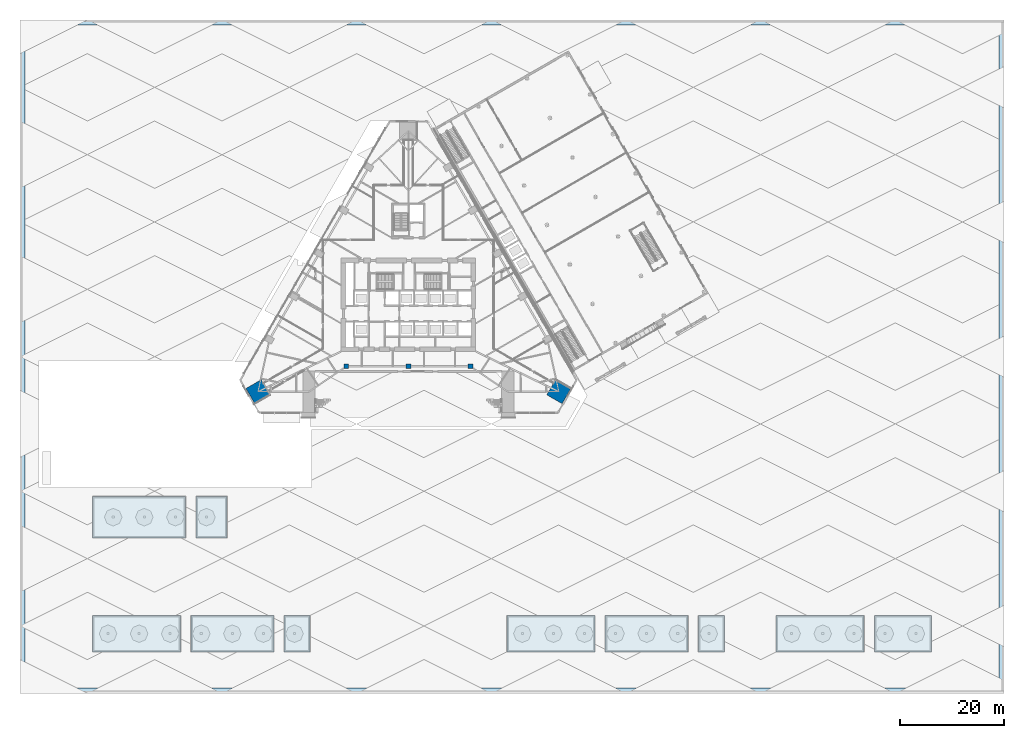
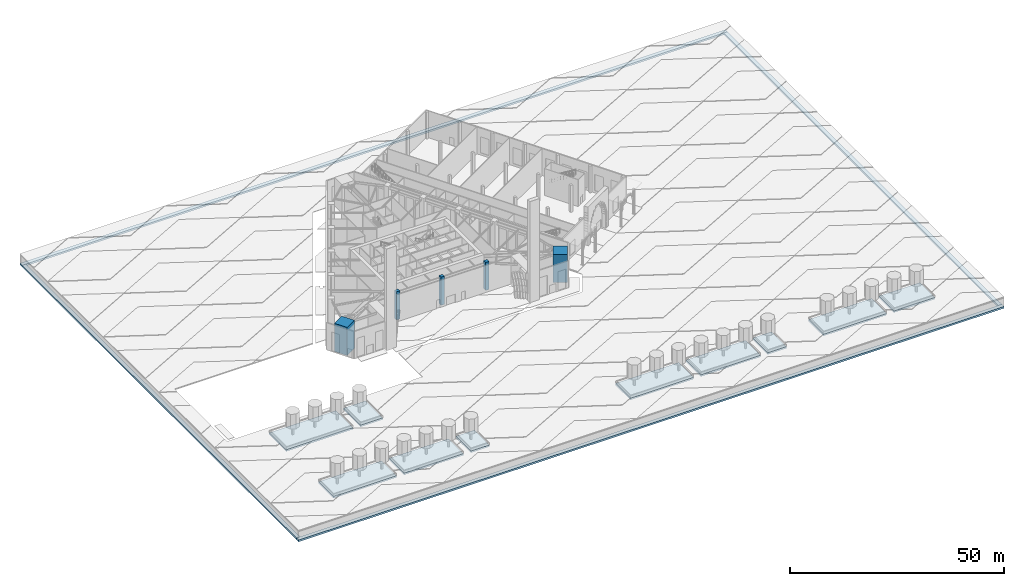
# One storey, part 1 of 34: 14 footings, 5 columns.
"""IFC4 building model written with IfcOpenShell, lengths in metres."""

import ifcopenshell
import ifcopenshell.guid

model = None  # the IFC model being written
_history = None  # IfcOwnerHistory: only IFC2X3 demands one
_inside = {}  # id of a spatial element -> (the spatial element, [elements in it])
_under = {}  # id of a project, library or spatial element -> (it, [spatial elements below it])
_declared = {}  # id of a project -> (the project, [libraries it declares])
_typed = {}  # id of a type object -> (the type object, [elements of that type])
_made_of = {}  # id of a material, layer set ... -> (it, [elements and type objects made of it])


def new_model(schema):
    """Start an empty IFC model of exactly this schema.

    Asked for "IFC4X3", IfcOpenShell would pick the latest addendum, in which some entities
    have other attributes; the version numbers below select the first issue.
    IFC2X3 requires an IfcOwnerHistory on every rooted entity: one is made here for all.
    """
    global model, _history
    if schema == "IFC4X3":
        model = ifcopenshell.file(schema_version=(4, 3, 0, 0))
    else:
        model = ifcopenshell.file(schema=schema)
    _inside.clear()
    _under.clear()
    _declared.clear()
    _typed.clear()
    _made_of.clear()
    _history = None
    if model.schema == "IFC2X3":
        org = make("IfcOrganization", Name="unknown")
        user = make(
            "IfcPersonAndOrganization",
            ThePerson=make("IfcPerson", FamilyName="unknown"),
            TheOrganization=org,
        )
        app = make(
            "IfcApplication",
            ApplicationDeveloper=org,
            Version="unknown",
            ApplicationFullName="unknown",
            ApplicationIdentifier="unknown",
        )
        _history = make(
            "IfcOwnerHistory",
            OwningUser=user,
            OwningApplication=app,
            ChangeAction="ADDED",
            CreationDate=0,
        )
    return model


def make(cls, **values):
    """One entity of the class cls with the attributes given. An attribute that is None is left unset."""
    return model.create_entity(
        cls, **{name: value for name, value in values.items() if value is not None}
    )


def rooted(cls, **values):
    """An entity with a GlobalId (a new one), such as an element, a storey or a relation."""
    return make(cls, GlobalId=ifcopenshell.guid.new(), OwnerHistory=_history, **values)


def si_unit(unit_type, name, prefix=None):
    """IfcSIUnit, for example si_unit("LENGTHUNIT", "METRE", prefix="MILLI")."""
    return make("IfcSIUnit", UnitType=unit_type, Prefix=prefix, Name=name)


def assignment(units):
    """IfcUnitAssignment: the units of a project."""
    return None if units is None else make("IfcUnitAssignment", Units=units)


def point(xyz):
    """IfcCartesianPoint."""
    return None if xyz is None else make("IfcCartesianPoint", Coordinates=xyz)


def direction(xyz):
    """IfcDirection."""
    return None if xyz is None else make("IfcDirection", DirectionRatios=xyz)


def frame(location, z_axis=None, x_axis=None):
    """IfcAxis2Placement3D, a coordinate frame: its origin and axes. An axis left out is left unset."""
    return make(
        "IfcAxis2Placement3D",
        Location=point(location),
        Axis=direction(z_axis),
        RefDirection=direction(x_axis),
    )


def frame_2d(location, x_axis=None):
    """IfcAxis2Placement2D, a coordinate frame in the plane: its origin and x axis."""
    return make(
        "IfcAxis2Placement2D", Location=point(location), RefDirection=direction(x_axis)
    )


def origin():
    """The frame at (0, 0, 0) with its axes left unset."""
    return frame((0.0, 0.0, 0.0))


def origin_2d():
    """The frame at (0, 0) in the plane with its x axis left unset."""
    return frame_2d((0.0, 0.0))


def place(relative_to, where):
    """IfcLocalPlacement: puts the frame where relative to a parent placement (None: the world)."""
    return make(
        "IfcLocalPlacement", PlacementRelTo=relative_to, RelativePlacement=where
    )


def context(
    kind, dimensions, precision=None, world=None, true_north=None, identifier=None
):
    """IfcGeometricRepresentationContext, for example the 3D "Model" context."""
    return make(
        "IfcGeometricRepresentationContext",
        ContextIdentifier=identifier,
        ContextType=kind,
        CoordinateSpaceDimension=dimensions,
        Precision=precision,
        WorldCoordinateSystem=world,
        TrueNorth=true_north,
    )


def subcontext(parent, identifier, kind, view, scale=None):
    """IfcGeometricRepresentationSubContext, for example "Body" below "Model"."""
    return make(
        "IfcGeometricRepresentationSubContext",
        ContextIdentifier=identifier,
        ContextType=kind,
        ParentContext=parent,
        TargetScale=scale,
        TargetView=view,
    )


def project(units=None, contexts=None):
    """IfcProject with its units and contexts."""
    return rooted(
        "IfcProject",
        Name="project",
        RepresentationContexts=contexts,
        UnitsInContext=assignment(units),
    )


def spatial(cls, under=None, at=None, **own):
    """A site, building, storey or space (cls), placed at a placement, below another one or the project."""
    s = rooted(cls, ObjectPlacement=at, **own)
    if under is not None:
        _under.setdefault(under.id(), (under, []))[1].append(s)
    return s


def polyline(points):
    """IfcPolyline through the points."""
    return make("IfcPolyline", Points=[point(p) for p in points])


def profile(cls, at=None, kind="AREA", **sizes):
    """A parametric profile (cls). Its sizes go by their IFC names, for example OverallWidth=200.0."""
    return make(cls, ProfileType=kind, Position=at, **sizes)


def rectangle(**sizes):
    """IfcRectangleProfileDef."""
    return profile("IfcRectangleProfileDef", **sizes)


def outline(outer, holes=None, kind="AREA"):
    """IfcArbitraryClosedProfileDef: a profile drawn as a closed curve; with holes, ...WithVoids."""
    if holes is None:
        return make("IfcArbitraryClosedProfileDef", ProfileType=kind, OuterCurve=outer)
    return make(
        "IfcArbitraryProfileDefWithVoids",
        ProfileType=kind,
        OuterCurve=outer,
        InnerCurves=holes,
    )


def extrude(swept, where, along, depth):
    """IfcExtrudedAreaSolid: the profile swept, set in the frame where, extruded along a direction by depth."""
    return make(
        "IfcExtrudedAreaSolid",
        SweptArea=swept,
        Position=where,
        ExtrudedDirection=direction(along),
        Depth=depth,
    )


def shape(context_of_items, identifier, shape_type, items):
    """IfcShapeRepresentation: the items that make up one representation, for example the "Body"."""
    return make(
        "IfcShapeRepresentation",
        ContextOfItems=context_of_items,
        RepresentationIdentifier=identifier,
        RepresentationType=shape_type,
        Items=items,
    )


def material(Name=None, Category=None):
    """IfcMaterial."""
    return make("IfcMaterial", Name=Name, Category=Category)


def material_profile(
    of_material, cross_section, Name=None, Category=None, Priority=None
):
    """IfcMaterialProfile: a cross section and its material."""
    return make(
        "IfcMaterialProfile",
        Name=Name,
        Material=of_material,
        Profile=cross_section,
        Priority=Priority,
        Category=Category,
    )


def profile_set(profiles, Name=None, composite=None):
    """IfcMaterialProfileSet."""
    return make(
        "IfcMaterialProfileSet",
        Name=Name,
        MaterialProfiles=profiles,
        CompositeProfile=composite,
    )


def made_of(thing, what):
    """Note that an element or type object is made of a material, layer set ...; save() writes the relation."""
    if what is not None:
        _made_of.setdefault(what.id(), (what, []))[1].append(thing)
    return thing


def type_object(cls, material=None, **own):
    """A type object (cls), such as IfcWallType, which elements share."""
    return made_of(rooted(cls, **own), material)


def element(
    cls,
    number,
    at=None,
    inside=None,
    cuts=None,
    type_object=None,
    material=None,
    context=None,
    identifier="Body",
    shape_type=None,
    held_by="IfcProductDefinitionShape",
    body=None,
    shapes=None,
    **own,
):
    """One element of the class cls, such as IfcWall. Its Tag is "e" and its number.

    at: its placement. inside: the storey or other place that contains it. cuts: it is an
    opening in that element (IfcRelVoidsElement). A single representation is given by context,
    identifier, shape_type and body (its items); several are given by shapes. held_by: the class
    of the entity that holds the representations. save() writes the other relations.
    """
    e = rooted(cls, Tag="e%d" % number, ObjectPlacement=at, **own)
    if body is not None:
        shapes = [shape(context, identifier, shape_type, body)]
    if shapes is not None:
        e.Representation = make(held_by, Representations=shapes)
    if inside is not None:
        _inside.setdefault(inside.id(), (inside, []))[1].append(e)
    if cuts is not None:
        rooted(
            "IfcRelVoidsElement", RelatingBuildingElement=cuts, RelatedOpeningElement=e
        )
    if type_object is not None:
        _typed.setdefault(type_object.id(), (type_object, []))[1].append(e)
    return made_of(e, material)


def aggregate(whole, parts):
    """IfcRelAggregates: a whole, such as a stair, and the parts it consists of."""
    return rooted("IfcRelAggregates", RelatingObject=whole, RelatedObjects=parts)


def save(model, path):
    """Write the relations noted so far, then the file.

    IfcRelAggregates (storeys below a building ...), IfcRelContainedInSpatialStructure (elements
    in a storey), IfcRelDefinesByType, IfcRelAssociatesMaterial and IfcRelDeclares: one each for
    every whole, place, type object, material and project.
    """
    for whole, parts in _under.values():
        aggregate(whole, parts)
    for where, things in _inside.values():
        rooted(
            "IfcRelContainedInSpatialStructure",
            RelatedElements=things,
            RelatingStructure=where,
        )
    for kind, things in _typed.values():
        rooted("IfcRelDefinesByType", RelatedObjects=things, RelatingType=kind)
    for what, things in _made_of.values():
        rooted("IfcRelAssociatesMaterial", RelatedObjects=things, RelatingMaterial=what)
    for by, libraries in _declared.values():
        rooted("IfcRelDeclares", RelatingContext=by, RelatedDefinitions=libraries)
    model.write(path)


model = new_model("IFC4")

# Units and contexts
model_context = context("Model", 3, precision=1e-05, world=origin(), true_north=direction((0.0, 1.0)))
body_context = subcontext(model_context, "Body", "Model", "MODEL_VIEW")
ifc_project = project(units=[si_unit("LENGTHUNIT", "METRE"), si_unit("AREAUNIT", "SQUARE_METRE"), si_unit("VOLUMEUNIT", "CUBIC_METRE"), si_unit("PLANEANGLEUNIT", "RADIAN"), si_unit("MASSUNIT", "GRAM", prefix="KILO")], contexts=[model_context])

# Site, building, storey
site_placement = place(None, origin())
site = spatial("IfcSite", under=ifc_project, at=site_placement, CompositionType="ELEMENT")
building_placement = place(site_placement, origin())
building = spatial("IfcBuilding", under=site, at=building_placement, Name="Firuza Gate Tower and Library", CompositionType="ELEMENT")
storey_placement = place(building_placement, origin())
storey = spatial("IfcBuildingStorey", under=building, at=storey_placement, Name="L00", CompositionType="ELEMENT", Elevation=0.0)

# Footings
ifc_material_1 = material(Name="Concrete C30/37", Category="concrete")
footing_type_1 = type_object("IfcFootingType", Name="Planter bed footing 11000x7000x450", PredefinedType="PAD_FOOTING", material=ifc_material_1)
placement_1 = place(storey_placement, frame((0.0, 0.0, -0.60009765625)))
element("IfcFooting", 1, at=placement_1, inside=storey, type_object=footing_type_1, Name="Planter bed footing 8", PredefinedType="PAD_FOOTING", context=body_context, shape_type="SweptSolid", body=[
    extrude(outline(polyline([(165.0, 8.0), (176.0, 8.0), (176.0, 15.0), (165.0, 15.0), (165.0, 8.0)])), origin(), (0.0, 0.0, 1.0), 0.4501953125),
])
ifc_material_2 = material(Name="Concrete C30/37", Category="concrete")
footing_type_2 = type_object("IfcFootingType", Name="Planter bed footing 16000x7000x450", PredefinedType="PAD_FOOTING", material=ifc_material_2)
element("IfcFooting", 2, at=placement_1, inside=storey, type_object=footing_type_2, Name="Planter bed footing 2 FB2", PredefinedType="PAD_FOOTING", context=body_context, shape_type="SweptSolid", body=[
    extrude(outline(polyline([(33.0, 8.0), (49.0, 8.0), (49.0, 15.0), (33.0, 15.0), (33.0, 8.0)])), origin(), (0.0, 0.0, 1.0), 0.4501953125),
])
element("IfcFooting", 3, at=placement_1, inside=storey, type_object=footing_type_2, Name="Planter bed footing 5 FB2", PredefinedType="PAD_FOOTING", context=body_context, shape_type="SweptSolid", body=[
    extrude(outline(polyline([(113.0, 8.0), (129.0, 8.0), (129.0, 15.0), (113.0, 15.0), (113.0, 8.0)])), origin(), (0.0, 0.0, 1.0), 0.4501953125),
])
ifc_material_3 = material(Name="Concrete C30/37", Category="concrete")
footing_type_3 = type_object("IfcFootingType", Name="Planter bed footing 17000x7000x450", PredefinedType="PAD_FOOTING", material=ifc_material_3)
element("IfcFooting", 4, at=placement_1, inside=storey, type_object=footing_type_3, Name="Planter bed footing 1 FB1", PredefinedType="PAD_FOOTING", context=body_context, shape_type="SweptSolid", body=[
    extrude(outline(polyline([(14.0, 8.0), (31.0, 8.0), (31.0, 15.0), (14.0, 15.0), (14.0, 8.0)])), origin(), (0.0, 0.0, 1.0), 0.4501953125),
])
element("IfcFooting", 5, at=placement_1, inside=storey, type_object=footing_type_3, Name="Planter bed footing 4 FB1", PredefinedType="PAD_FOOTING", context=body_context, shape_type="SweptSolid", body=[
    extrude(outline(polyline([(94.0, 8.0), (111.0, 8.0), (111.0, 15.0), (94.0, 15.0), (94.0, 8.0)])), origin(), (0.0, 0.0, 1.0), 0.4501953125),
])
element("IfcFooting", 6, at=placement_1, inside=storey, type_object=footing_type_3, Name="Planter bed footing 7 FB1", PredefinedType="PAD_FOOTING", context=body_context, shape_type="SweptSolid", body=[
    extrude(outline(polyline([(146.0, 8.0), (163.0, 8.0), (163.0, 15.0), (146.0, 15.0), (146.0, 8.0)])), origin(), (0.0, 0.0, 1.0), 0.4501953125),
])
ifc_material_4 = material(Name="Concrete C30/37", Category="concrete")
footing_type_4 = type_object("IfcFootingType", Name="Planter bed footing 18000x8000x450", PredefinedType="PAD_FOOTING", material=ifc_material_4)
element("IfcFooting", 7, at=placement_1, inside=storey, type_object=footing_type_4, Name="Planter bed footing 9", PredefinedType="PAD_FOOTING", context=body_context, shape_type="SweptSolid", body=[
    extrude(outline(polyline([(14.0, 30.0), (32.0, 30.0), (32.0, 38.0), (14.0, 38.0), (14.0, 30.0)])), origin(), (0.0, 0.0, 1.0), 0.4501953125),
])
ifc_material_5 = material(Name="Concrete C30/37", Category="concrete")
footing_type_5 = type_object("IfcFootingType", Name="Planter bed footing 7000x5000x450", PredefinedType="PAD_FOOTING", material=ifc_material_5)
element("IfcFooting", 8, at=placement_1, inside=storey, type_object=footing_type_5, Name="Planter bed footing 3 FB3", PredefinedType="PAD_FOOTING", context=body_context, shape_type="SweptSolid", body=[
    extrude(outline(polyline([(51.0, 8.0), (56.0, 8.0), (56.0, 15.0), (51.0, 15.0), (51.0, 8.0)])), origin(), (0.0, 0.0, 1.0), 0.4501953125),
])
element("IfcFooting", 9, at=placement_1, inside=storey, type_object=footing_type_5, Name="Planter bed footing 6 FB3", PredefinedType="PAD_FOOTING", context=body_context, shape_type="SweptSolid", body=[
    extrude(outline(polyline([(131.0, 8.0), (136.0, 8.0), (136.0, 15.0), (131.0, 15.0), (131.0, 8.0)])), origin(), (0.0, 0.0, 1.0), 0.4501953125),
])
ifc_material_6 = material(Name="Concrete C30/37", Category="concrete")
footing_type_6 = type_object("IfcFootingType", Name="Planter bed footing 8000x6000x450", PredefinedType="PAD_FOOTING", material=ifc_material_6)
element("IfcFooting", 10, at=placement_1, inside=storey, type_object=footing_type_6, Name="Planter bed footing 10", PredefinedType="PAD_FOOTING", context=body_context, shape_type="SweptSolid", body=[
    extrude(outline(polyline([(34.0, 30.0), (40.0, 30.0), (40.0, 38.0), (34.0, 38.0), (34.0, 30.0)])), origin(), (0.0, 0.0, 1.0), 0.4501953125),
])
ifc_material_7 = material(Name="Concrete C40/50", Category="concrete")
footing_type_7 = type_object("IfcFootingType", Name="Plaza edge strip footing 1000x500 C40/50", PredefinedType="STRIP_FOOTING", material=ifc_material_7)
placement_2 = place(storey_placement, frame((0.0, 0.0, -3.25)))
element("IfcFooting", 11, at=placement_2, inside=storey, type_object=footing_type_7, Name="Plaza edge strip footing PEF1", PredefinedType="STRIP_FOOTING", context=body_context, shape_type="SweptSolid", body=[
    extrude(outline(polyline([(0.0, 0.0), (190.0, 0.0), (190.0, 1.0), (0.0, 1.0), (0.0, 0.0)])), origin(), (0.0, 0.0, 1.0), 0.5),
])
element("IfcFooting", 12, at=placement_2, inside=storey, type_object=footing_type_7, Name="Plaza edge strip footing PEF1", PredefinedType="STRIP_FOOTING", context=body_context, shape_type="SweptSolid", body=[
    extrude(outline(polyline([(189.0, 1.0), (190.0, 1.0), (190.0, 129.0), (189.0, 129.0), (189.0, 1.0)])), origin(), (0.0, 0.0, 1.0), 0.5),
])
element("IfcFooting", 13, at=placement_2, inside=storey, type_object=footing_type_7, Name="Plaza edge strip footing PEF1", PredefinedType="STRIP_FOOTING", context=body_context, shape_type="SweptSolid", body=[
    extrude(outline(polyline([(0.0, 129.0), (190.0, 129.0), (190.0, 130.0), (0.0, 130.0), (0.0, 129.0)])), origin(), (0.0, 0.0, 1.0), 0.5),
])
element("IfcFooting", 14, at=placement_2, inside=storey, type_object=footing_type_7, Name="Plaza edge strip footing PEF1", PredefinedType="STRIP_FOOTING", context=body_context, shape_type="SweptSolid", body=[
    extrude(outline(polyline([(0.0, 1.0), (1.0, 1.0), (1.0, 129.0), (0.0, 129.0), (0.0, 1.0)])), origin(), (0.0, 0.0, 1.0), 0.5),
])

# Columns
ifc_material_8 = material(Name="Concrete C60/75", Category="concrete")
ifc_material_profile_1 = material_profile(ifc_material_8, rectangle(XDim=0.89990234375, YDim=0.89990234375, at=origin_2d()))
ifc_profile_set_1 = profile_set([ifc_material_profile_1], Name="Concrete C60/75")
column_type_1 = type_object("IfcColumnType", Name="Basement column 900x900 C60/75", PredefinedType="COLUMN", material=ifc_profile_set_1)
for number, where, z_axis, x_axis, name in (
    (15, (63.0, 63.115478515625, 0.0), (0.0, 0.0, 1.0), (1.0, 0.0, 0.0), "Column L00 bc1"),
    (16, (75.0, 63.115478515625, 0.0), (0.0, 0.0, 1.0), (1.0, 0.0, 0.0), "Column L00 bc2"),
    (17, (87.0, 63.115478515625, 0.0), (0.0, 0.0, 1.0), (1.0, 0.0, 0.0), "Column L00 bc3"),
):
    element("IfcColumn", number, at=place(storey_placement, frame(where, z_axis=z_axis, x_axis=x_axis)), inside=storey, type_object=column_type_1, Name=name, PredefinedType="COLUMN", context=body_context, shape_type="SweptSolid", body=[
        extrude(rectangle(XDim=0.89990234375, YDim=0.89990234375, at=origin_2d()), origin(), (0.0, 0.0, 1.0), 8.0),
    ])
ifc_material_9 = material(Name="Concrete C80/95", Category="concrete")
ifc_material_profile_2 = material_profile(ifc_material_9, rectangle(XDim=3.39990234375, YDim=3.39990234375, at=origin_2d()))
ifc_profile_set_2 = profile_set([ifc_material_profile_2], Name="Concrete C80/95")
column_type_2 = type_object("IfcColumnType", Name="Mega column 3400x3400 C80/95", PredefinedType="COLUMN", material=ifc_profile_set_2)
for number, where, z_axis, x_axis, name in (
    (18, (104.041259765625, 58.233154296875, 0.0), (0.0, 0.0, 1.0), (0.5, 0.866025403784, 0.0), "Mega column SE L00"),
    (19, (45.958740234375, 58.233154296875, 0.0), (0.0, 0.0, 1.0), (0.5, -0.866025403784, 0.0), "Mega column SW L00"),
):
    element("IfcColumn", number, at=place(storey_placement, frame(where, z_axis=z_axis, x_axis=x_axis)), inside=storey, type_object=column_type_2, Name=name, PredefinedType="COLUMN", context=body_context, shape_type="SweptSolid", body=[
        extrude(rectangle(XDim=3.39990234375, YDim=3.39990234375, at=origin_2d()), origin(), (0.0, 0.0, 1.0), 8.0),
    ])

save(model, "model.ifc")
